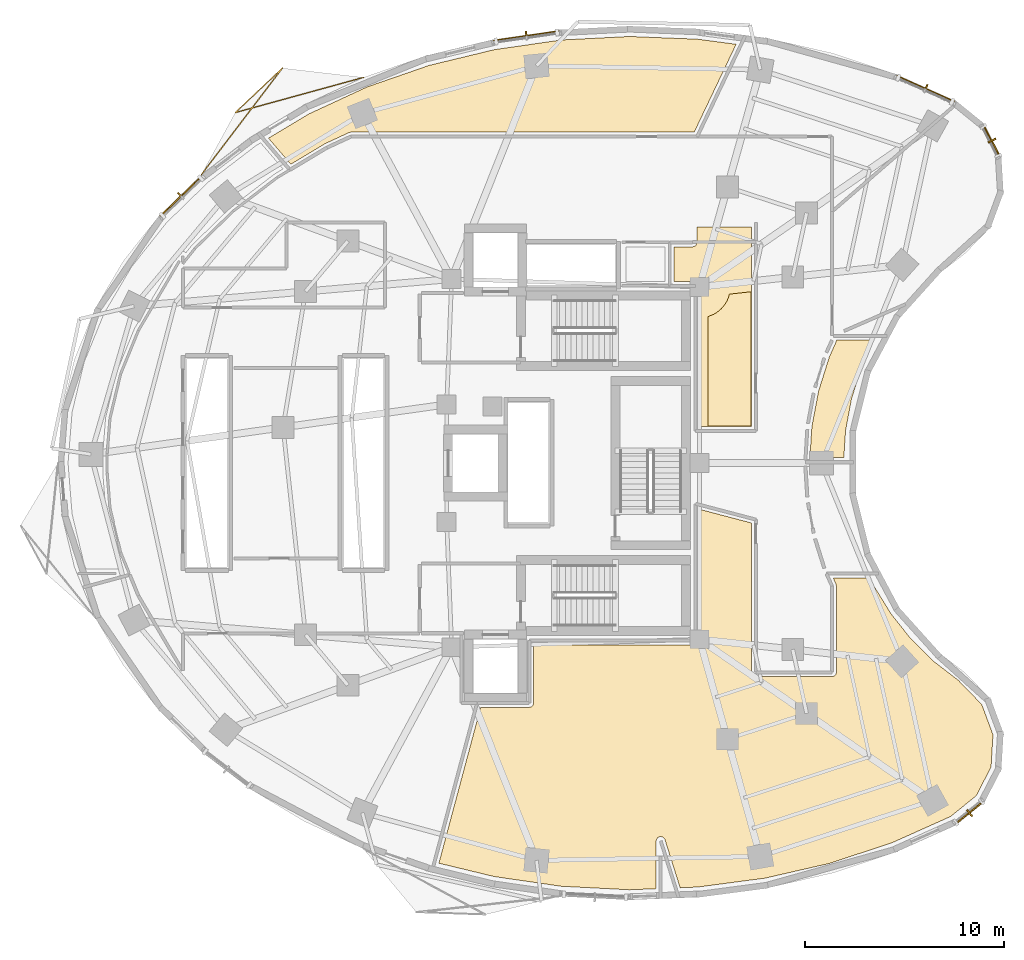
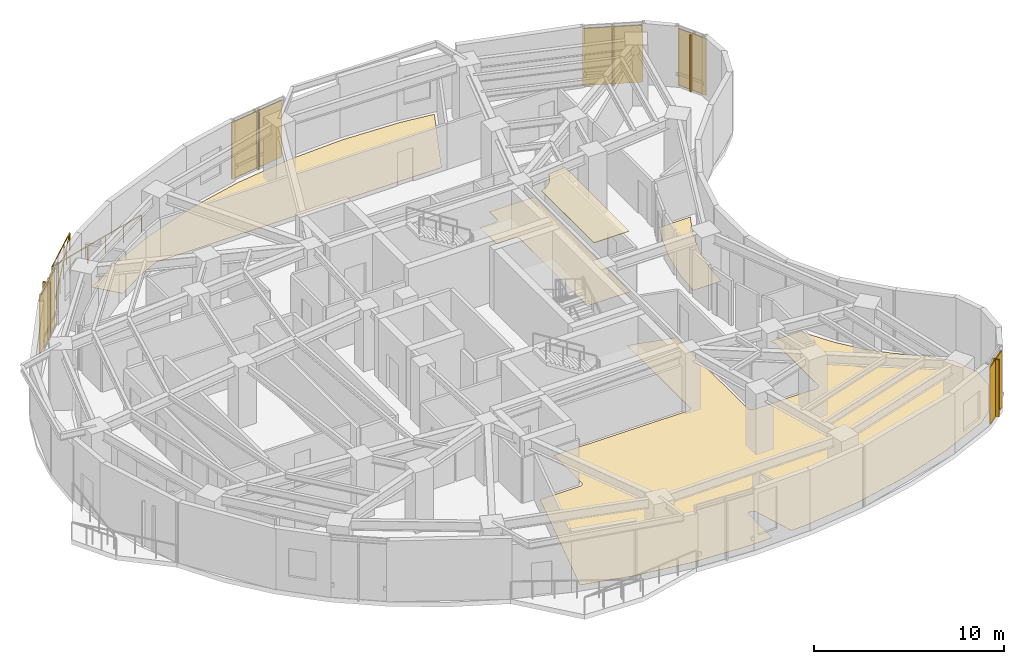
# One storey, part 13 of 13: 10 shading devices, 5 coverings, 1 railing.
"""IFC4 building model written with IfcOpenShell, lengths in metres."""

import ifcopenshell
import ifcopenshell.guid

model = None  # the IFC model being written
_history = None  # IfcOwnerHistory: only IFC2X3 demands one
_inside = {}  # id of a spatial element -> (the spatial element, [elements in it])
_under = {}  # id of a project, library or spatial element -> (it, [spatial elements below it])
_declared = {}  # id of a project -> (the project, [libraries it declares])
_typed = {}  # id of a type object -> (the type object, [elements of that type])
_made_of = {}  # id of a material, layer set ... -> (it, [elements and type objects made of it])


def new_model(schema):
    """Start an empty IFC model of exactly this schema.

    Asked for "IFC4X3", IfcOpenShell would pick the latest addendum, in which some entities
    have other attributes; the version numbers below select the first issue.
    IFC2X3 requires an IfcOwnerHistory on every rooted entity: one is made here for all.
    """
    global model, _history
    if schema == "IFC4X3":
        model = ifcopenshell.file(schema_version=(4, 3, 0, 0))
    else:
        model = ifcopenshell.file(schema=schema)
    _inside.clear()
    _under.clear()
    _declared.clear()
    _typed.clear()
    _made_of.clear()
    _history = None
    if model.schema == "IFC2X3":
        org = make("IfcOrganization", Name="unknown")
        user = make(
            "IfcPersonAndOrganization",
            ThePerson=make("IfcPerson", FamilyName="unknown"),
            TheOrganization=org,
        )
        app = make(
            "IfcApplication",
            ApplicationDeveloper=org,
            Version="unknown",
            ApplicationFullName="unknown",
            ApplicationIdentifier="unknown",
        )
        _history = make(
            "IfcOwnerHistory",
            OwningUser=user,
            OwningApplication=app,
            ChangeAction="ADDED",
            CreationDate=0,
        )
    return model


def make(cls, **values):
    """One entity of the class cls with the attributes given. An attribute that is None is left unset."""
    return model.create_entity(
        cls, **{name: value for name, value in values.items() if value is not None}
    )


def rooted(cls, **values):
    """An entity with a GlobalId (a new one), such as an element, a storey or a relation."""
    return make(cls, GlobalId=ifcopenshell.guid.new(), OwnerHistory=_history, **values)


def si_unit(unit_type, name, prefix=None):
    """IfcSIUnit, for example si_unit("LENGTHUNIT", "METRE", prefix="MILLI")."""
    return make("IfcSIUnit", UnitType=unit_type, Prefix=prefix, Name=name)


def assignment(units):
    """IfcUnitAssignment: the units of a project."""
    return None if units is None else make("IfcUnitAssignment", Units=units)


def point(xyz):
    """IfcCartesianPoint."""
    return None if xyz is None else make("IfcCartesianPoint", Coordinates=xyz)


def direction(xyz):
    """IfcDirection."""
    return None if xyz is None else make("IfcDirection", DirectionRatios=xyz)


def frame(location, z_axis=None, x_axis=None):
    """IfcAxis2Placement3D, a coordinate frame: its origin and axes. An axis left out is left unset."""
    return make(
        "IfcAxis2Placement3D",
        Location=point(location),
        Axis=direction(z_axis),
        RefDirection=direction(x_axis),
    )


def frame_2d(location, x_axis=None):
    """IfcAxis2Placement2D, a coordinate frame in the plane: its origin and x axis."""
    return make(
        "IfcAxis2Placement2D", Location=point(location), RefDirection=direction(x_axis)
    )


def origin():
    """The frame at (0, 0, 0) with its axes left unset."""
    return frame((0.0, 0.0, 0.0))


def origin_2d():
    """The frame at (0, 0) in the plane with its x axis left unset."""
    return frame_2d((0.0, 0.0))


def place(relative_to, where):
    """IfcLocalPlacement: puts the frame where relative to a parent placement (None: the world)."""
    return make(
        "IfcLocalPlacement", PlacementRelTo=relative_to, RelativePlacement=where
    )


def context(
    kind, dimensions, precision=None, world=None, true_north=None, identifier=None
):
    """IfcGeometricRepresentationContext, for example the 3D "Model" context."""
    return make(
        "IfcGeometricRepresentationContext",
        ContextIdentifier=identifier,
        ContextType=kind,
        CoordinateSpaceDimension=dimensions,
        Precision=precision,
        WorldCoordinateSystem=world,
        TrueNorth=true_north,
    )


def subcontext(parent, identifier, kind, view, scale=None):
    """IfcGeometricRepresentationSubContext, for example "Body" below "Model"."""
    return make(
        "IfcGeometricRepresentationSubContext",
        ContextIdentifier=identifier,
        ContextType=kind,
        ParentContext=parent,
        TargetScale=scale,
        TargetView=view,
    )


def project(units=None, contexts=None):
    """IfcProject with its units and contexts."""
    return rooted(
        "IfcProject",
        Name="project",
        RepresentationContexts=contexts,
        UnitsInContext=assignment(units),
    )


def spatial(cls, under=None, at=None, **own):
    """A site, building, storey or space (cls), placed at a placement, below another one or the project."""
    s = rooted(cls, ObjectPlacement=at, **own)
    if under is not None:
        _under.setdefault(under.id(), (under, []))[1].append(s)
    return s


def polyline(points):
    """IfcPolyline through the points."""
    return make("IfcPolyline", Points=[point(p) for p in points])


def profile(cls, at=None, kind="AREA", **sizes):
    """A parametric profile (cls). Its sizes go by their IFC names, for example OverallWidth=200.0."""
    return make(cls, ProfileType=kind, Position=at, **sizes)


def rectangle(**sizes):
    """IfcRectangleProfileDef."""
    return profile("IfcRectangleProfileDef", **sizes)


def outline(outer, holes=None, kind="AREA"):
    """IfcArbitraryClosedProfileDef: a profile drawn as a closed curve; with holes, ...WithVoids."""
    if holes is None:
        return make("IfcArbitraryClosedProfileDef", ProfileType=kind, OuterCurve=outer)
    return make(
        "IfcArbitraryProfileDefWithVoids",
        ProfileType=kind,
        OuterCurve=outer,
        InnerCurves=holes,
    )


def extrude(swept, where, along, depth):
    """IfcExtrudedAreaSolid: the profile swept, set in the frame where, extruded along a direction by depth."""
    return make(
        "IfcExtrudedAreaSolid",
        SweptArea=swept,
        Position=where,
        ExtrudedDirection=direction(along),
        Depth=depth,
    )


def shape(context_of_items, identifier, shape_type, items):
    """IfcShapeRepresentation: the items that make up one representation, for example the "Body"."""
    return make(
        "IfcShapeRepresentation",
        ContextOfItems=context_of_items,
        RepresentationIdentifier=identifier,
        RepresentationType=shape_type,
        Items=items,
    )


def material(Name=None, Category=None):
    """IfcMaterial."""
    return make("IfcMaterial", Name=Name, Category=Category)


def layer(
    of_material, thickness, ventilated=None, Name=None, Category=None, Priority=None
):
    """IfcMaterialLayer: one layer of a wall or slab, of a material (None: an air gap)."""
    return make(
        "IfcMaterialLayer",
        Material=of_material,
        LayerThickness=thickness,
        IsVentilated=ventilated,
        Name=Name,
        Category=Category,
        Priority=Priority,
    )


def layer_set(layers, Name=None):
    """IfcMaterialLayerSet."""
    return make("IfcMaterialLayerSet", MaterialLayers=layers, LayerSetName=Name)


def made_of(thing, what):
    """Note that an element or type object is made of a material, layer set ...; save() writes the relation."""
    if what is not None:
        _made_of.setdefault(what.id(), (what, []))[1].append(thing)
    return thing


def type_object(cls, material=None, **own):
    """A type object (cls), such as IfcWallType, which elements share."""
    return made_of(rooted(cls, **own), material)


def element(
    cls,
    number,
    at=None,
    inside=None,
    cuts=None,
    type_object=None,
    material=None,
    context=None,
    identifier="Body",
    shape_type=None,
    held_by="IfcProductDefinitionShape",
    body=None,
    shapes=None,
    **own,
):
    """One element of the class cls, such as IfcWall. Its Tag is "e" and its number.

    at: its placement. inside: the storey or other place that contains it. cuts: it is an
    opening in that element (IfcRelVoidsElement). A single representation is given by context,
    identifier, shape_type and body (its items); several are given by shapes. held_by: the class
    of the entity that holds the representations. save() writes the other relations.
    """
    e = rooted(cls, Tag="e%d" % number, ObjectPlacement=at, **own)
    if body is not None:
        shapes = [shape(context, identifier, shape_type, body)]
    if shapes is not None:
        e.Representation = make(held_by, Representations=shapes)
    if inside is not None:
        _inside.setdefault(inside.id(), (inside, []))[1].append(e)
    if cuts is not None:
        rooted(
            "IfcRelVoidsElement", RelatingBuildingElement=cuts, RelatedOpeningElement=e
        )
    if type_object is not None:
        _typed.setdefault(type_object.id(), (type_object, []))[1].append(e)
    return made_of(e, material)


def aggregate(whole, parts):
    """IfcRelAggregates: a whole, such as a stair, and the parts it consists of."""
    return rooted("IfcRelAggregates", RelatingObject=whole, RelatedObjects=parts)


def save(model, path):
    """Write the relations noted so far, then the file.

    IfcRelAggregates (storeys below a building ...), IfcRelContainedInSpatialStructure (elements
    in a storey), IfcRelDefinesByType, IfcRelAssociatesMaterial and IfcRelDeclares: one each for
    every whole, place, type object, material and project.
    """
    for whole, parts in _under.values():
        aggregate(whole, parts)
    for where, things in _inside.values():
        rooted(
            "IfcRelContainedInSpatialStructure",
            RelatedElements=things,
            RelatingStructure=where,
        )
    for kind, things in _typed.values():
        rooted("IfcRelDefinesByType", RelatedObjects=things, RelatingType=kind)
    for what, things in _made_of.values():
        rooted("IfcRelAssociatesMaterial", RelatedObjects=things, RelatingMaterial=what)
    for by, libraries in _declared.values():
        rooted("IfcRelDeclares", RelatingContext=by, RelatedDefinitions=libraries)
    model.write(path)


model = new_model("IFC4")

# Units and contexts
model_context = context("Model", 3, precision=1e-05, world=origin(), true_north=direction((0.0, 1.0)))
body_context = subcontext(model_context, "Body", "Model", "MODEL_VIEW")
ifc_project = project(units=[si_unit("LENGTHUNIT", "METRE"), si_unit("AREAUNIT", "SQUARE_METRE"), si_unit("VOLUMEUNIT", "CUBIC_METRE"), si_unit("PLANEANGLEUNIT", "RADIAN"), si_unit("MASSUNIT", "GRAM", prefix="KILO")], contexts=[model_context])

# Site, building, storey
site_placement = place(None, origin())
site = spatial("IfcSite", under=ifc_project, at=site_placement, CompositionType="ELEMENT")
building_placement = place(site_placement, origin())
building = spatial("IfcBuilding", under=site, at=building_placement, Name="Korentha Bioscience Tower", CompositionType="ELEMENT")
storey_placement = place(building_placement, frame((0.0, 0.0, 106.800048828125)))
storey = spatial("IfcBuildingStorey", under=building, at=storey_placement, Name="L24", CompositionType="ELEMENT", Elevation=106.800048828125)

# Railing
ifc_material_1 = material(Name="Laminated Tempered Safety Glass", Category="glass")
railing_type = type_object("IfcRailingType", Name="Laminated Glass Balcony Guardrail 1150", PredefinedType="BALUSTRADE", material=ifc_material_1)
railing_placement = place(storey_placement, frame((20.66650390625, 46.37890625, 0.0)))
element("IfcRailing", 1, at=railing_placement, inside=storey, type_object=railing_type, Name="L24 Balcony Guardrail 01", PredefinedType="BALUSTRADE", context=body_context, shape_type="SweptSolid", body=[
    extrude(rectangle(XDim=0.048095703125, YDim=0.048095703125, at=origin_2d()), frame((0.0, 0.0, 1.1259765625), z_axis=(-0.964316998133, -0.264750310883, 0.0), x_axis=(0.264750310883, -0.964316998133, 0.0)), (0.0, 0.0, 1.0), 6.67822265625),
    extrude(rectangle(XDim=0.048095703125, YDim=0.048095703125, at=origin_2d()), frame((-6.43994140625, -1.76806640625, 1.1259765625), z_axis=(0.726986123575, 0.68665215075, 0.0), x_axis=(-0.68665215075, 0.726986123575, 0.0)), (0.0, 0.0, 1.0), 3.256591796875),
    extrude(rectangle(XDim=0.048095703125, YDim=0.048095703125, at=origin_2d()), frame((-4.072509765625, 0.468017578125, 1.1259765625), z_axis=(-0.605446843346, -0.795885745495, 0.0), x_axis=(0.795885745495, -0.605446843346, 0.0)), (0.0, 0.0, 1.0), 6.72412109375),
    extrude(rectangle(XDim=0.0419921875, YDim=0.0419921875, at=origin_2d()), origin(), (0.0, 0.0, 1.0), 1.101806640625),
    extrude(rectangle(XDim=0.0419921875, YDim=0.0419921875, at=origin_2d()), frame((-1.2880859375, -0.353515625, 0.0)), (0.0, 0.0, 1.0), 1.101806640625),
    extrude(rectangle(XDim=0.0419921875, YDim=0.0419921875, at=origin_2d()), frame((-2.575927734375, -0.707275390625, 0.0)), (0.0, 0.0, 1.0), 1.101806640625),
    extrude(rectangle(XDim=0.0419921875, YDim=0.0419921875, at=origin_2d()), frame((-3.864013671875, -1.060791015625, 0.0)), (0.0, 0.0, 1.0), 1.101806640625),
    extrude(rectangle(XDim=0.0419921875, YDim=0.0419921875, at=origin_2d()), frame((-5.15185546875, -1.41455078125, 0.0)), (0.0, 0.0, 1.0), 1.101806640625),
    extrude(rectangle(XDim=0.0419921875, YDim=0.0419921875, at=origin_2d()), frame((-6.43994140625, -1.76806640625, 0.0)), (0.0, 0.0, 1.0), 1.101806640625),
    extrude(rectangle(XDim=0.0419921875, YDim=0.0419921875, at=origin_2d()), frame((-5.65087890625, -1.022705078125, 0.0)), (0.0, 0.0, 1.0), 1.101806640625),
    extrude(rectangle(XDim=0.0419921875, YDim=0.0419921875, at=origin_2d()), frame((-4.861572265625, -0.27734375, 0.0)), (0.0, 0.0, 1.0), 1.101806640625),
    extrude(rectangle(XDim=0.0419921875, YDim=0.0419921875, at=origin_2d()), frame((-4.072509765625, 0.468017578125, 0.0)), (0.0, 0.0, 1.0), 1.101806640625),
    extrude(rectangle(XDim=0.0419921875, YDim=0.0419921875, at=origin_2d()), frame((-4.88671875, -0.602294921875, 0.0)), (0.0, 0.0, 1.0), 1.101806640625),
    extrude(rectangle(XDim=0.0419921875, YDim=0.0419921875, at=origin_2d()), frame((-5.700927734375, -1.672607421875, 0.0)), (0.0, 0.0, 1.0), 1.101806640625),
    extrude(rectangle(XDim=0.0419921875, YDim=0.0419921875, at=origin_2d()), frame((-6.51513671875, -2.742919921875, 0.0)), (0.0, 0.0, 1.0), 1.101806640625),
    extrude(rectangle(XDim=0.0419921875, YDim=0.0419921875, at=origin_2d()), frame((-7.329345703125, -3.813232421875, 0.0)), (0.0, 0.0, 1.0), 1.101806640625),
    extrude(rectangle(XDim=0.0419921875, YDim=0.0419921875, at=origin_2d()), frame((-8.1435546875, -4.883544921875, 0.0)), (0.0, 0.0, 1.0), 1.101806640625),
])

# Covering
ifc_material_2 = material(Name="Antimicrobial Mineral Fibre Board", Category="gypsum")
ifc_layer_1 = layer(ifc_material_2, 0.034912109375, Name="Antimicrobial Mineral Fibre Board")
ifc_layer_set_1 = layer_set([ifc_layer_1], Name="Antimicrobial Mineral Fibre Board (CL-MF35)")
covering_type_1 = type_object("IfcCoveringType", Name="Mineral-Fibre Cleanroom Suspended Ceiling 35", PredefinedType="CEILING", material=ifc_layer_set_1)
covering_1_placement = place(storey_placement, frame((0.0, 0.0, 3.864990234375)))
element("IfcCovering", 2, at=covering_1_placement, inside=storey, type_object=covering_type_1, Name="L24 Mass-Spectrometry Analytical Suite 06 Acoustic Ceiling", PredefinedType="CEILING", context=body_context, shape_type="SweptSolid", body=[
    extrude(outline(polyline([(37.989990234375, 28.860107421875), (37.989990234375, 34.3642578125), (38.28076171875, 34.48291015625), (38.4111328125, 34.561279296875), (38.64599609375, 34.75390625), (38.8388671875, 34.989013671875), (38.9169921875, 35.119384765625), (38.98193359375, 35.2568359375), (39.055908203125, 35.490966796875), (40.139892578125, 35.609130859375), (40.139892578125, 28.860107421875), (37.989990234375, 28.860107421875)])), origin(), (0.0, 0.0, 1.0), 0.034912109375),
])

# Shading devices
ifc_material_3 = material(Name="Perforated Stone-Ceramic Composite", Category="masonry")
ifc_layer_2 = layer(ifc_material_3, 0.06494140625, Name="Perforated Stone-Ceramic Composite")
ifc_layer_set_2 = layer_set([ifc_layer_2], Name="Perforated Stone-Ceramic Composite (CS-01)")
shading_device_type_1 = type_object("IfcShadingDeviceType", Name="Perforated Stone-Ceramic Solar Screen Panel 65", PredefinedType="USERDEFINED", material=ifc_layer_set_2)
shading_device_1_placement = place(storey_placement, frame((48.912109375, 45.811279296875, 0.0), z_axis=(0.0, 0.0, 1.0), x_axis=(-0.912686563127, 0.408660295952, 0.0)))
element("IfcShadingDevice", 3, at=shading_device_1_placement, inside=storey, type_object=shading_device_type_1, Name="CW-L24-01 Perforated Stone-Ceramic Solar Screen", ObjectType="SCREEN", PredefinedType="USERDEFINED", context=body_context, shape_type="SweptSolid", body=[
    extrude(rectangle(XDim=3.1806640625, YDim=0.06494140625, at=origin_2d()), origin(), (0.0, 0.0, 1.0), 3.64990234375),
])
shading_device_2_placement = place(storey_placement, frame((28.85888671875, 48.46240234375, 0.0), z_axis=(0.0, 0.0, 1.0), x_axis=(-0.989738282326, -0.14289203091, 0.0)))
element("IfcShadingDevice", 4, at=shading_device_2_placement, inside=storey, type_object=shading_device_type_1, Name="CW-L24-07 Perforated Stone-Ceramic Solar Screen", ObjectType="SCREEN", PredefinedType="USERDEFINED", context=body_context, shape_type="SweptSolid", body=[
    extrude(rectangle(XDim=3.351318359375, YDim=0.06494140625, at=origin_2d()), origin(), (0.0, 0.0, 1.0), 3.64990234375),
])
shading_device_3_placement = place(storey_placement, frame((11.497314453125, 40.41162109375, 0.0), z_axis=(0.0, 0.0, 1.0), x_axis=(-0.716095631804, -0.698002182025, 0.0)))
element("IfcShadingDevice", 5, at=shading_device_3_placement, inside=storey, type_object=shading_device_type_1, Name="CW-L24-13 Perforated Stone-Ceramic Solar Screen", ObjectType="SCREEN", PredefinedType="USERDEFINED", context=body_context, shape_type="SweptSolid", body=[
    extrude(rectangle(XDim=2.8818359375, YDim=0.06494140625, at=origin_2d()), origin(), (0.0, 0.0, 1.0), 3.64990234375),
])
for number, where, z_axis, x_axis, name in (
    (6, (51.1103515625, 9.428955078125, 0.0), (0.0, 0.0, 1.0), (0.777315301098, 0.629111216463, 0.0), "CW-L24-37 Perforated Stone-Ceramic Solar Screen"),
    (7, (52.2294921875, 43.1953125, 0.0), (0.0, 0.0, 1.0), (-0.457613117169, 0.889151412862, 0.0), "CW-L24-61 Perforated Stone-Ceramic Solar Screen"),
):
    element("IfcShadingDevice", number, at=place(storey_placement, frame(where, z_axis=z_axis, x_axis=x_axis)), inside=storey, type_object=shading_device_type_1, Name=name, ObjectType="SCREEN", PredefinedType="USERDEFINED", context=body_context, shape_type="SweptSolid", body=[
        extrude(rectangle(XDim=1.737548828125, YDim=0.06494140625, at=origin_2d()), origin(), (0.0, 0.0, 1.0), 3.64990234375),
    ])

# Coverings
ifc_material_4 = material(Name="Chemical-Resistant Epoxy Resin", Category="polymer")
ifc_layer_3 = layer(ifc_material_4, 0.011962890625, Name="Chemical-Resistant Epoxy Resin")
ifc_layer_set_3 = layer_set([ifc_layer_3], Name="Chemical-Resistant Epoxy Resin (FL-EPX)")
covering_type_2 = type_object("IfcCoveringType", Name="Seamless Epoxy Laboratory Flooring 12", PredefinedType="FLOORING", material=ifc_layer_set_3)
covering_2_placement = place(storey_placement, origin())
element("IfcCovering", 8, at=covering_2_placement, inside=storey, type_object=covering_type_2, Name="L24 Staff Pantry Kitchenette 02 Floor Finish", PredefinedType="FLOORING", context=body_context, shape_type="SweptSolid", body=[
    extrude(outline(polyline([(30.608154296875, 5.739501953125), (27.239013671875, 6.22607421875), (24.45751953125, 6.89794921875), (26.555419921875, 14.7275390625), (29.00146484375, 14.72998046875), (29.101318359375, 14.75634765625), (29.1689453125, 14.811767578125), (29.202880859375, 14.868408203125), (29.219970703125, 14.94873046875), (29.219970703125, 17.8701171875), (37.35009765625, 17.8701171875), (37.427978515625, 17.883544921875), (37.504150390625, 17.92919921875), (37.55810546875, 18.002197265625), (37.580078125, 18.10009765625), (37.580078125, 24.672607421875), (40.169921875, 23.990966796875), (40.169921875, 16.5), (40.1923828125, 16.401123046875), (40.2626953125, 16.315673828125), (40.39990234375, 16.27001953125), (44.199951171875, 16.27001953125), (44.27783203125, 16.28369140625), (44.35400390625, 16.329345703125), (44.408203125, 16.402099609375), (44.429931640625, 16.5), (44.429931640625, 20.824951171875), (44.413818359375, 20.90966796875), (44.26904296875, 21.22802734375), (46.13720703125, 21.22802734375), (46.346435546875, 20.776611328125), (47.16455078125, 19.441650390625), (48.168701171875, 18.175048828125), (49.31884765625, 17.041748046875), (50.55615234375, 16.089111328125), (51.734375, 14.87353515625), (52.298095703125, 13.351806640625), (52.20068359375, 11.732177734375), (51.4580078125, 10.289306640625), (50.164794921875, 9.24267578125), (47.25439453125, 7.939453125), (44.1171875, 6.896484375), (40.835205078125, 6.14599609375), (37.45654296875, 5.699462890625), (36.579345703125, 5.66455078125), (35.81201171875, 8.093017578125), (35.780517578125, 8.150390625), (35.7158203125, 8.2080078125), (35.589599609375, 8.238525390625), (35.505615234375, 8.217041015625), (35.450927734375, 8.18017578125), (35.3994140625, 8.110595703125), (35.37841796875, 8.02587890625), (35.3779296875, 5.616943359375), (34.03076171875, 5.563232421875), (30.608154296875, 5.739501953125)])), origin(), (0.0, 0.0, 1.0), 0.011962890625),
])
covering_3_placement = place(storey_placement, origin())
element("IfcCovering", 9, at=covering_3_placement, inside=storey, type_object=covering_type_2, Name="L24 Biomechanical Motion Analysis Lab 04 Floor Finish", PredefinedType="FLOORING", context=body_context, shape_type="SweptSolid", body=[
    extrude(outline(polyline([(43.1865234375, 28.67919921875), (43.22021484375, 28.9541015625), (43.534912109375, 30.620849609375), (44.07373046875, 32.330078125), (44.413818359375, 33.09033203125), (44.429931640625, 33.177978515625), (46.322509765625, 33.177978515625), (45.65966796875, 31.717529296875), (45.185302734375, 30.212890625), (44.88916015625, 28.62744140625), (44.80419921875, 27.278076171875), (43.100830078125, 27.278076171875), (43.1865234375, 28.67919921875)])), origin(), (0.0, 0.0, 1.0), 0.011962890625),
])
covering_4_placement = place(storey_placement, origin())
element("IfcCovering", 10, at=covering_4_placement, inside=storey, type_object=covering_type_2, Name="L24 Mass-Spectrometry Analytical Suite 06 Floor Finish", PredefinedType="FLOORING", context=body_context, shape_type="SweptSolid", body=[
    extrude(outline(polyline([(37.57958984375, 35.910888671875), (37.56640625, 35.977783203125), (37.520751953125, 36.05419921875), (37.4677734375, 36.097412109375), (37.38427734375, 36.12744140625), (36.280029296875, 36.1298828125), (36.280029296875, 37.8701171875), (37.2119140625, 37.870361328125), (37.27783203125, 37.883544921875), (37.35400390625, 37.92919921875), (37.40771484375, 38.001220703125), (37.4296875, 38.088134765625), (37.429931640625, 38.8701171875), (40.169921875, 38.8701171875), (40.169921875, 28.830078125), (37.580078125, 28.830078125), (37.57958984375, 35.910888671875)])), origin(), (0.0, 0.0, 1.0), 0.011962890625),
])
covering_5_placement = place(storey_placement, origin())
element("IfcCovering", 11, at=covering_5_placement, inside=storey, type_object=covering_type_2, Name="L24 Solvent and Chemical Weighing Room 08 Floor Finish", PredefinedType="FLOORING", context=body_context, shape_type="SweptSolid", body=[
    extrude(outline(polyline([(17.938720703125, 44.5517578125), (20.857666015625, 45.905517578125), (23.972900390625, 46.98486328125), (27.23876953125, 47.77392578125), (30.60791015625, 48.260498046875), (34.030517578125, 48.436767578125), (37.456298828125, 48.300537109375), (39.392822265625, 48.044677734375), (37.289306640625, 43.63427734375), (20.029541015625, 43.629638671875), (19.94580078125, 43.608642578125), (18.735595703125, 43.047119140625), (17.0166015625, 42.016357421875), (15.8935546875, 43.3251953125), (17.938720703125, 44.5517578125)])), origin(), (0.0, 0.0, 1.0), 0.011962890625),
])

# Shading devices
ifc_material_5 = material(Name="Honed Travertine Limestone", Category="masonry")
ifc_layer_4 = layer(ifc_material_5, 0.080078125, Name="Honed Travertine Limestone")
ifc_layer_set_4 = layer_set([ifc_layer_4], Name="Honed Travertine Limestone (CS-02)")
shading_device_type_2 = type_object("IfcShadingDeviceType", Name="Vertical Honed Limestone Sunshade Fin 80x420", PredefinedType="USERDEFINED", material=ifc_layer_set_4)
for number, where, z_axis, x_axis, name in (
    (12, (48.92041015625, 45.82958984375, 0.0), (0.0, 0.0, 1.0), (-0.912686563127, 0.408660295952, 0.0), "CW-L24-01 Limestone Sunshade Fin"),
    (13, (28.856201171875, 48.482421875, 0.0), (0.0, 0.0, 1.0), (-0.989738282326, -0.14289203091, 0.0), "CW-L24-07 Limestone Sunshade Fin"),
    (14, (11.483154296875, 40.42578125, 0.0), (0.0, 0.0, 1.0), (-0.716095631804, -0.698002182025, 0.0), "CW-L24-13 Limestone Sunshade Fin"),
    (15, (51.122802734375, 9.413330078125, 0.0), (0.0, 0.0, 1.0), (0.777315301098, 0.629111216463, 0.0), "CW-L24-37 Limestone Sunshade Fin"),
    (16, (52.2470703125, 43.20458984375, 0.0), (0.0, 0.0, 1.0), (-0.457613117169, 0.889151412862, 0.0), "CW-L24-61 Limestone Sunshade Fin"),
):
    element("IfcShadingDevice", number, at=place(storey_placement, frame(where, z_axis=z_axis, x_axis=x_axis)), inside=storey, type_object=shading_device_type_2, Name=name, ObjectType="SCREEN", PredefinedType="USERDEFINED", context=body_context, shape_type="SweptSolid", body=[
        extrude(rectangle(XDim=0.080078125, YDim=0.419921875, at=origin_2d()), origin(), (0.0, 0.0, 1.0), 3.64990234375),
    ])

save(model, "model.ifc")
